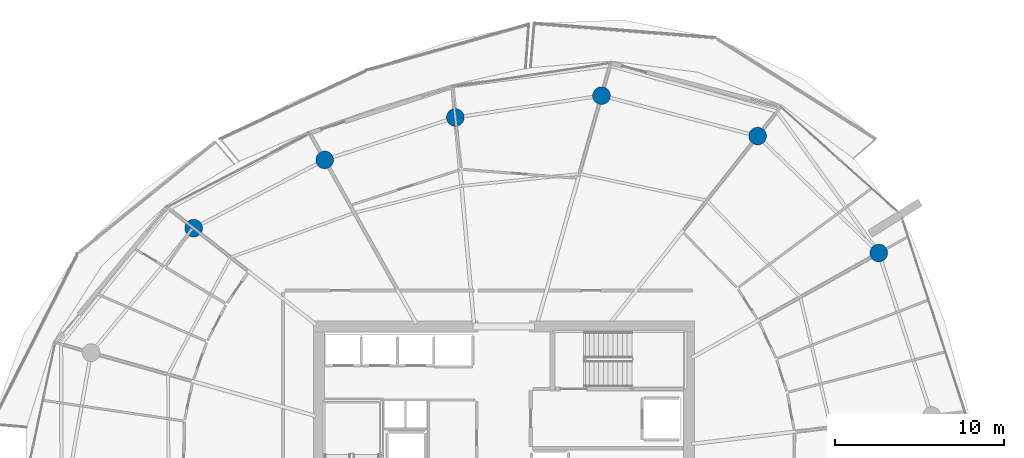
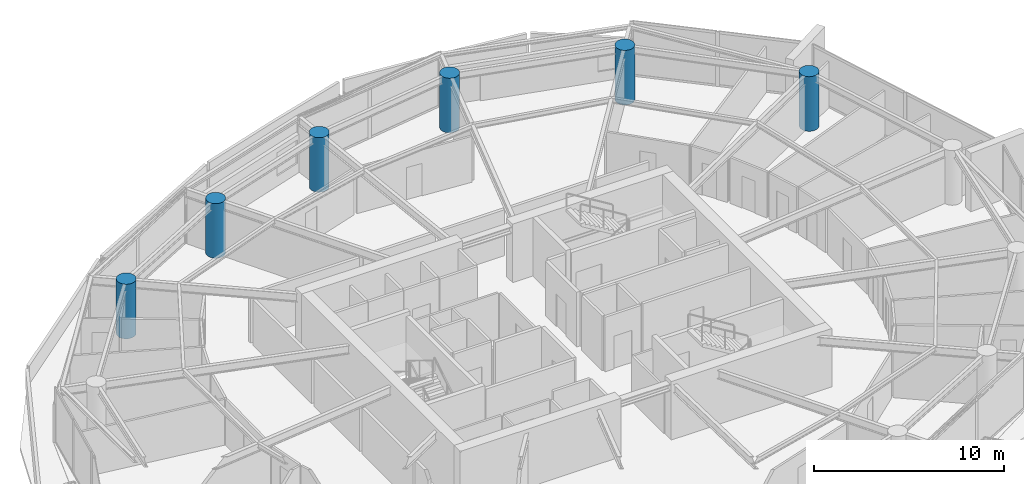
# One storey, part 4 of 20: 6 columns.
"""IFC4 building model written with IfcOpenShell, lengths in metres."""

from ifc_helpers import new_model, si_unit, direction, frame, origin, origin_2d, place, context, subcontext, project, spatial, circle, extrude, material, material_profile, profile_set, type_object, element, save


model = new_model("IFC4")

# Units and contexts
model_context = context("Model", 3, precision=1e-05, world=origin(), true_north=direction((0.0, 1.0)))
body_context = subcontext(model_context, "Body", "Model", "MODEL_VIEW")
ifc_project = project(units=[si_unit("LENGTHUNIT", "METRE"), si_unit("AREAUNIT", "SQUARE_METRE"), si_unit("VOLUMEUNIT", "CUBIC_METRE"), si_unit("PLANEANGLEUNIT", "RADIAN"), si_unit("MASSUNIT", "GRAM", prefix="KILO")], contexts=[model_context])

# Site, building, storey
site_placement = place(None, origin())
site = spatial("IfcSite", under=ifc_project, at=site_placement, CompositionType="ELEMENT")
building_placement = place(site_placement, origin())
building = spatial("IfcBuilding", under=site, at=building_placement, Name="Kazma Halo Residences", CompositionType="ELEMENT")
storey_placement = place(building_placement, frame((0.0, 0.0, 217.800048828125)))
storey = spatial("IfcBuildingStorey", under=building, at=storey_placement, Name="L55", CompositionType="ELEMENT", Elevation=217.800048828125)

# Columns
ifc_material = material(Name="Concrete C80/95", Category="concrete")
ifc_material_profile = material_profile(ifc_material, circle(Radius=0.52490234375, at=origin_2d()), Name="CIRC1050")
ifc_profile_set = profile_set([ifc_material_profile], Name="Concrete C80/95")
column_type = type_object("IfcColumnType", Name="COL-PERIM-1050", PredefinedType="COLUMN", material=ifc_profile_set)
for number, where, z_axis, x_axis, name in (
    (1, (70.625, 54.670654296875, 0.0), (0.0, 0.0, 1.0), (1.0, 0.0, 0.0), "L55 perimeter ring column P01"),
    (2, (63.45068359375, 61.598876953125, 0.0), (0.0, 0.0, 1.0), (1.0, 0.0, 0.0), "L55 perimeter ring column P02"),
    (3, (54.202392578125, 63.99169921875, 0.0), (0.0, 0.0, 1.0), (1.0, 0.0, 0.0), "L55 perimeter ring column P03"),
    (4, (45.550048828125, 62.69970703125, 0.0), (0.0, 0.0, 1.0), (1.0, 0.0, 0.0), "L55 perimeter ring column P04"),
    (5, (37.815185546875, 60.186279296875, 0.0), (0.0, 0.0, 1.0), (1.0, 0.0, 0.0), "L55 perimeter ring column P05"),
    (6, (30.055908203125, 56.14599609375, 0.0), (0.0, 0.0, 1.0), (1.0, 0.0, 0.0), "L55 perimeter ring column P06"),
):
    element("IfcColumn", number, at=place(storey_placement, frame(where, z_axis=z_axis, x_axis=x_axis)), inside=storey, type_object=column_type, Name=name, PredefinedType="COLUMN", context=body_context, shape_type="SweptSolid", body=[
        extrude(circle(Radius=0.52490234375, at=origin_2d()), origin(), (0.0, 0.0, 1.0), 3.5),
    ])

save(model, "model.ifc")
